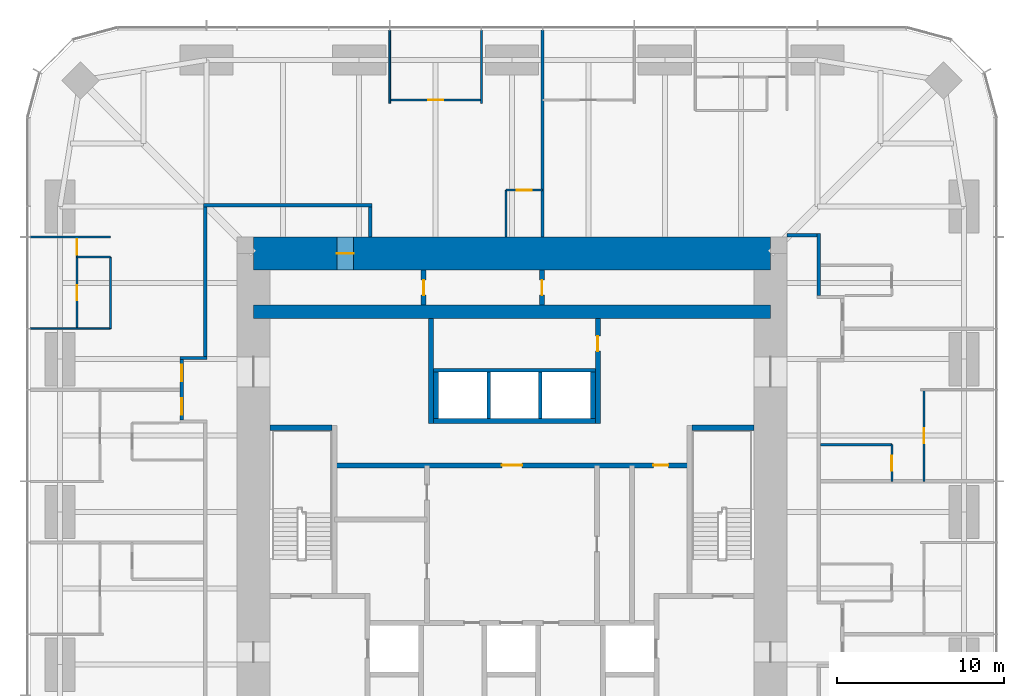
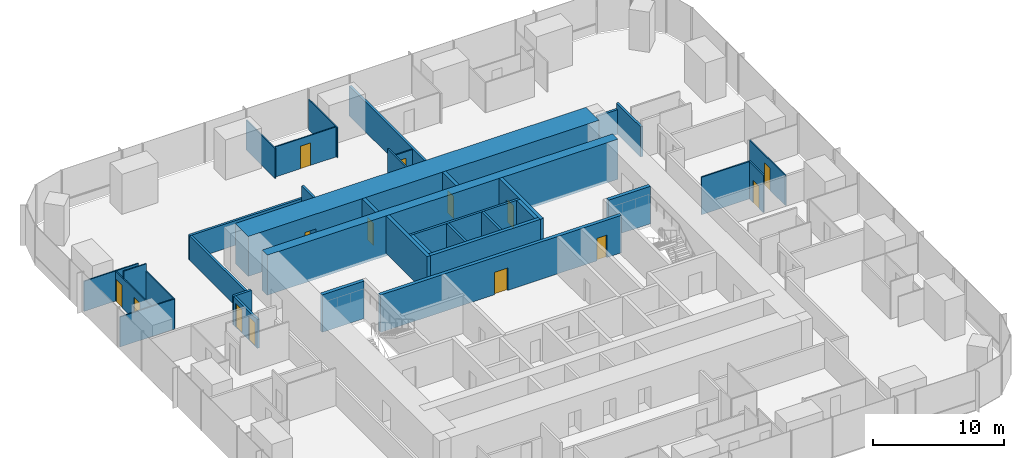
# One storey, part 11 of 13: 36 walls, 14 doors, 14 openings.
"""IFC4 building model written with IfcOpenShell, lengths in metres."""

from ifc_helpers import new_model, si_unit, direction, frame, frame_2d, origin, place, context, subcontext, project, spatial, rectangle, extrude, material, layer, layer_set, type_object, element, fill, save


model = new_model("IFC4")

# Units and contexts
model_context = context("Model", 3, precision=1e-05, world=origin(), true_north=direction((0.0, 1.0)))
body_context = subcontext(model_context, "Body", "Model", "MODEL_VIEW")
ifc_project = project(units=[si_unit("LENGTHUNIT", "METRE"), si_unit("AREAUNIT", "SQUARE_METRE"), si_unit("VOLUMEUNIT", "CUBIC_METRE"), si_unit("PLANEANGLEUNIT", "RADIAN"), si_unit("MASSUNIT", "GRAM", prefix="KILO")], contexts=[model_context])

# Site, building, storey
site_placement = place(None, origin())
site = spatial("IfcSite", under=ifc_project, at=site_placement, CompositionType="ELEMENT")
building_placement = place(site_placement, origin())
building = spatial("IfcBuilding", under=site, at=building_placement, Name="Khuree Lantern Residences", CompositionType="ELEMENT")
storey_placement = place(building_placement, frame((0.0, 0.0, 133.5)))
storey = spatial("IfcBuildingStorey", under=building, at=storey_placement, Name="L33", CompositionType="ELEMENT", Elevation=133.5)

# Wall, opening, door
ifc_material_1 = material(Name="Moisture-resistant gypsum board on steel studs", Category="steel")
ifc_layer_1 = layer(ifc_material_1, 0.125)
ifc_layer_set_1 = layer_set([ifc_layer_1], Name="BATHROOM WALL BTW125")
wall_type_1 = type_object("IfcWallType", Name="BATHROOM WALL BTW125", PredefinedType="PARTITIONING", material=ifc_layer_set_1)
wall_1_placement = place(storey_placement, frame((22.77978515625, 1.83203125, 0.0), z_axis=(0.0, 0.0, 1.0), x_axis=(0.0, 1.0, 0.0)))
wall_1 = element("IfcWall", 1, at=wall_1_placement, inside=storey, type_object=wall_type_1, Name="L33 BATHROOM WALL 02", PredefinedType="PARTITIONING", context=body_context, shape_type="SweptSolid", body=[
    extrude(rectangle(XDim=2.199951171875, YDim=0.125, at=frame_2d((1.10009765625, 0.0))), origin(), (0.0, 0.0, 1.0), 3.5),
])
opening_1_placement = place(wall_1_placement, frame((0.64990234375, 0.0, 0.0)))
opening_1 = element("IfcOpeningElement", 2, at=opening_1_placement, cuts=wall_1, Name="Opening 33-028", PredefinedType="OPENING", context=body_context, shape_type="SweptSolid", body=[
    extrude(rectangle(XDim=0.89990234375, YDim=2.10009765625, at=frame_2d((0.449951171875, 1.050048828125))), frame((0.0, 0.072509765625, 0.0), z_axis=(0.0, -1.0, 0.0), x_axis=(1.0, 0.0, 0.0)), (0.0, 0.0, 1.0), 0.14501953125),
])
ifc_material_2 = material(Name="Timber door leaf in hardwood frame", Category="wood")
door_type_1 = type_object("IfcDoorType", Name="BATHROOM DOOR 900X2100", OperationType="SINGLE_SWING_LEFT", PredefinedType="DOOR", material=ifc_material_2)
door_1_placement = place(opening_1_placement, origin())
door_1 = element("IfcDoor", 3, at=door_1_placement, inside=storey, type_object=door_type_1, Name="Bathroom door 33-028", OperationType="SINGLE_SWING_LEFT", OverallHeight=2.10009765625, OverallWidth=0.89990234375, PredefinedType="DOOR", context=body_context, shape_type="SweptSolid", body=[
    extrude(rectangle(XDim=0.89990234375, YDim=2.10009765625, at=frame_2d((0.449951171875, 1.050048828125))), frame((0.0, 0.02490234375, 0.0), z_axis=(0.0, -1.0, 0.0), x_axis=(1.0, 0.0, 0.0)), (0.0, 0.0, 1.0), 0.050048828125),
])
fill(opening_1, door_1)

# Wall
wall_2_placement = place(storey_placement, frame((18.5, 4.031982421875, 0.0), z_axis=(0.0, 0.0, 1.0), x_axis=(1.0, 0.0, 0.0)))
element("IfcWall", 4, at=wall_2_placement, inside=storey, type_object=wall_type_1, Name="L33 BATHROOM WALL 02", PredefinedType="PARTITIONING", context=body_context, shape_type="SweptSolid", body=[
    extrude(rectangle(XDim=4.27978515625, YDim=0.125, at=frame_2d((2.139892578125, 0.0))), origin(), (0.0, 0.0, 1.0), 3.5),
])

# Wall, opening, door
wall_3_placement = place(storey_placement, frame((1.83203125, 19.300048828125, 0.0), z_axis=(0.0, 0.0, 1.0), x_axis=(-1.0, 0.0, 0.0)))
wall_3 = element("IfcWall", 5, at=wall_3_placement, inside=storey, type_object=wall_type_1, Name="L33 BATHROOM WALL 04", PredefinedType="PARTITIONING", context=body_context, shape_type="SweptSolid", body=[
    extrude(rectangle(XDim=2.199951171875, YDim=0.125, at=frame_2d((1.10009765625, 0.0))), origin(), (0.0, 0.0, 1.0), 2.699951171875),
])
opening_2_placement = place(wall_3_placement, frame((0.64990234375, 0.0, 0.0)))
opening_2 = element("IfcOpeningElement", 6, at=opening_2_placement, cuts=wall_3, Name="Opening 33-038", PredefinedType="OPENING", context=body_context, shape_type="SweptSolid", body=[
    extrude(rectangle(XDim=0.89990234375, YDim=2.10009765625, at=frame_2d((0.449951171875, 1.050048828125))), frame((0.0, 0.072509765625, 0.0), z_axis=(0.0, -1.0, 0.0), x_axis=(1.0, 0.0, 0.0)), (0.0, 0.0, 1.0), 0.14501953125),
])
door_2_placement = place(opening_2_placement, origin())
door_2 = element("IfcDoor", 7, at=door_2_placement, inside=storey, type_object=door_type_1, Name="Bathroom door 33-038", OperationType="SINGLE_SWING_LEFT", OverallHeight=2.10009765625, OverallWidth=0.89990234375, PredefinedType="DOOR", context=body_context, shape_type="SweptSolid", body=[
    extrude(rectangle(XDim=0.89990234375, YDim=2.10009765625, at=frame_2d((0.449951171875, 1.050048828125))), frame((0.0, 0.02490234375, 0.0), z_axis=(0.0, -1.0, 0.0), x_axis=(1.0, 0.0, 0.0)), (0.0, 0.0, 1.0), 0.050048828125),
])
fill(opening_2, door_2)

# Walls
wall_4_placement = place(storey_placement, frame((-0.367919921875, 16.5, 0.0), z_axis=(0.0, 0.0, 1.0), x_axis=(0.0, 1.0, 0.0)))
element("IfcWall", 8, at=wall_4_placement, inside=storey, type_object=wall_type_1, Name="L33 BATHROOM WALL 04", PredefinedType="PARTITIONING", context=body_context, shape_type="SweptSolid", body=[
    extrude(rectangle(XDim=2.800048828125, YDim=0.125, at=frame_2d((1.39990234375, 0.0))), origin(), (0.0, 0.0, 1.0), 3.5),
])
ifc_material_3 = material(Name="Dense concrete blockwork", Category="masonry")
ifc_layer_2 = layer(ifc_material_3, 0.300048828125)
ifc_layer_set_2 = layer_set([ifc_layer_2], Name="CORE PARTITION WALL CPW300 EI 120")
wall_type_2 = type_object("IfcWallType", Name="CORE PARTITION WALL CPW300 EI 120", PredefinedType="PARTITIONING", material=ifc_layer_set_2)
wall_5_placement = place(storey_placement, frame((-4.699951171875, 5.449951171875, 0.0), z_axis=(0.0, 0.0, 1.0), x_axis=(1.0, 0.0, 0.0)))
element("IfcWall", 9, at=wall_5_placement, inside=storey, type_object=wall_type_2, Name="L33 CORE WALL PHS", PredefinedType="PARTITIONING", context=body_context, shape_type="SweptSolid", body=[
    extrude(rectangle(XDim=9.699951171875, YDim=0.300048828125, at=frame_2d((4.85009765625, 0.0))), origin(), (0.0, 0.0, 1.0), 3.5),
])
for number, where, z_axis, x_axis, name in (
    (10, (-4.550048828125, 5.60009765625, 0.0), (0.0, 0.0, 1.0), (0.0, 1.0, 0.0), "L33 CORE WALL PHW"),
    (11, (4.85009765625, 5.60009765625, 0.0), (0.0, 0.0, 1.0), (0.0, 1.0, 0.0), "L33 CORE WALL PHE"),
):
    element("IfcWall", number, at=place(storey_placement, frame(where, z_axis=z_axis, x_axis=x_axis)), inside=storey, type_object=wall_type_2, Name=name, PredefinedType="PARTITIONING", context=body_context, shape_type="SweptSolid", body=[
        extrude(rectangle(XDim=2.7998046875, YDim=0.300048828125, at=frame_2d((1.39990234375, 0.0))), origin(), (0.0, 0.0, 1.0), 3.5),
    ])

# Wall, openings, doors
wall_6_placement = place(storey_placement, frame((-10.64990234375, 2.800048828125, 0.0), z_axis=(0.0, 0.0, 1.0), x_axis=(1.0, 0.0, 0.0)))
wall_6 = element("IfcWall", 12, at=wall_6_placement, inside=storey, type_object=wall_type_2, Name="L33 CORE WALL LLS", PredefinedType="PARTITIONING", context=body_context, shape_type="SweptSolid", body=[
    extrude(rectangle(XDim=21.2998046875, YDim=0.300048828125, at=frame_2d((10.64990234375, 0.0))), origin(), (0.0, 0.0, 1.0), 3.5),
])
opening_3_placement = place(wall_6_placement, frame((10.050048828125, 0.0, 0.0)))
opening_3 = element("IfcOpeningElement", 13, at=opening_3_placement, cuts=wall_6, Name="Opening 33-013", PredefinedType="OPENING", context=body_context, shape_type="SweptSolid", body=[
    extrude(rectangle(XDim=1.199951171875, YDim=2.10009765625, at=frame_2d((0.60009765625, 1.050048828125))), frame((0.0, 0.16015625, 0.0), z_axis=(0.0, -1.0, 0.0), x_axis=(1.0, 0.0, 0.0)), (0.0, 0.0, 1.0), 0.320068359375),
])
opening_4_placement = place(wall_6_placement, frame((19.12109375, 0.0, 0.0)))
opening_4 = element("IfcOpeningElement", 14, at=opening_4_placement, cuts=wall_6, Name="Opening 33-019", PredefinedType="OPENING", context=body_context, shape_type="SweptSolid", body=[
    extrude(rectangle(XDim=0.89990234375, YDim=2.10009765625, at=frame_2d((0.449951171875, 1.050048828125))), frame((0.0, 0.16015625, 0.0), z_axis=(0.0, -1.0, 0.0), x_axis=(1.0, 0.0, 0.0)), (0.0, 0.0, 1.0), 0.320068359375),
])
ifc_material_4 = material(Name="Steel door leaf in steel frame", Category="steel")
door_type_2 = type_object("IfcDoorType", Name="DOOR 1200X2100 EI 60", OperationType="SINGLE_SWING_LEFT", PredefinedType="DOOR", material=ifc_material_4)
door_3_placement = place(opening_3_placement, origin())
door_3 = element("IfcDoor", 15, at=door_3_placement, inside=storey, type_object=door_type_2, Name="Service lift lobby door 33-013", OperationType="SINGLE_SWING_LEFT", OverallHeight=2.10009765625, OverallWidth=1.199951171875, PredefinedType="DOOR", context=body_context, shape_type="SweptSolid", body=[
    extrude(rectangle(XDim=1.199951171875, YDim=2.10009765625, at=frame_2d((0.60009765625, 1.050048828125))), frame((0.0, 0.02490234375, 0.0), z_axis=(0.0, -1.0, 0.0), x_axis=(1.0, 0.0, 0.0)), (0.0, 0.0, 1.0), 0.050048828125),
])
fill(opening_3, door_3)
door_type_3 = type_object("IfcDoorType", Name="DOOR 900X2100 RIGHT HAND", OperationType="SINGLE_SWING_RIGHT", PredefinedType="DOOR", material=ifc_material_2)
door_4_placement = place(opening_4_placement, origin())
door_4 = element("IfcDoor", 16, at=door_4_placement, inside=storey, type_object=door_type_3, Name="Residents' store door 33-019", OperationType="SINGLE_SWING_RIGHT", OverallHeight=2.10009765625, OverallWidth=0.89990234375, PredefinedType="DOOR", context=body_context, shape_type="SweptSolid", body=[
    extrude(rectangle(XDim=0.89990234375, YDim=2.10009765625, at=frame_2d((0.449951171875, 1.050048828125))), frame((0.0, 0.02490234375, 0.0), z_axis=(0.0, -1.0, 0.0), x_axis=(1.0, 0.0, 0.0)), (0.0, 0.0, 1.0), 0.050048828125),
])
fill(opening_4, door_4)

# Wall
wall_7_placement = place(storey_placement, frame((-4.85009765625, 5.300048828125, 0.0), z_axis=(0.0, 0.0, 1.0), x_axis=(0.0, 1.0, 0.0)))
element("IfcWall", 17, at=wall_7_placement, inside=storey, type_object=wall_type_2, Name="L33 CORE WALL NW", PredefinedType="PARTITIONING", context=body_context, shape_type="SweptSolid", body=[
    extrude(rectangle(XDim=6.300048828125, YDim=0.300048828125, at=frame_2d((3.14990234375, 0.0))), origin(), (0.0, 0.0, 1.0), 3.5),
])

# Wall, opening, door
wall_8_placement = place(storey_placement, frame((5.14990234375, 5.300048828125, 0.0), z_axis=(0.0, 0.0, 1.0), x_axis=(0.0, 1.0, 0.0)))
wall_8 = element("IfcWall", 18, at=wall_8_placement, inside=storey, type_object=wall_type_2, Name="L33 CORE WALL NE", PredefinedType="PARTITIONING", context=body_context, shape_type="SweptSolid", body=[
    extrude(rectangle(XDim=6.300048828125, YDim=0.300048828125, at=frame_2d((3.14990234375, 0.0))), origin(), (0.0, 0.0, 1.0), 3.5),
])
opening_5_placement = place(wall_8_placement, frame((4.35009765625, 0.0, 0.0)))
opening_5 = element("IfcOpeningElement", 19, at=opening_5_placement, cuts=wall_8, Name="Opening 33-020", PredefinedType="OPENING", context=body_context, shape_type="SweptSolid", body=[
    extrude(rectangle(XDim=0.89990234375, YDim=2.10009765625, at=frame_2d((0.449951171875, 1.050048828125))), frame((0.0, 0.16015625, 0.0), z_axis=(0.0, -1.0, 0.0), x_axis=(1.0, 0.0, 0.0)), (0.0, 0.0, 1.0), 0.320068359375),
])
door_type_4 = type_object("IfcDoorType", Name="DOOR 900X2100", OperationType="SINGLE_SWING_LEFT", PredefinedType="DOOR", material=ifc_material_2)
door_5_placement = place(opening_5_placement, origin())
door_5 = element("IfcDoor", 20, at=door_5_placement, inside=storey, type_object=door_type_4, Name="Residents' store door 33-020", OperationType="SINGLE_SWING_LEFT", OverallHeight=2.10009765625, OverallWidth=0.89990234375, PredefinedType="DOOR", context=body_context, shape_type="SweptSolid", body=[
    extrude(rectangle(XDim=0.89990234375, YDim=2.10009765625, at=frame_2d((0.449951171875, 1.050048828125))), frame((0.0, 0.02490234375, 0.0), z_axis=(0.0, -1.0, 0.0), x_axis=(1.0, 0.0, 0.0)), (0.0, 0.0, 1.0), 0.050048828125),
])
fill(opening_5, door_5)

wall_9_placement = place(storey_placement, frame((-5.300048828125, 12.39990234375, 0.0), z_axis=(0.0, 0.0, 1.0), x_axis=(0.0, 1.0, 0.0)))
wall_9 = element("IfcWall", 21, at=wall_9_placement, inside=storey, type_object=wall_type_2, Name="L33 CORE WALL PLX", PredefinedType="PARTITIONING", context=body_context, shape_type="SweptSolid", body=[
    extrude(rectangle(XDim=2.10009765625, YDim=0.300048828125, at=frame_2d((1.050048828125, 0.0))), origin(), (0.0, 0.0, 1.0), 3.5),
])
opening_6_placement = place(wall_9_placement, frame((0.60009765625, 0.0, 0.0)))
opening_6 = element("IfcOpeningElement", 22, at=opening_6_placement, cuts=wall_9, Name="Opening 33-021", PredefinedType="OPENING", context=body_context, shape_type="SweptSolid", body=[
    extrude(rectangle(XDim=0.89990234375, YDim=2.10009765625, at=frame_2d((0.449951171875, 1.050048828125))), frame((0.0, 0.16015625, 0.0), z_axis=(0.0, -1.0, 0.0), x_axis=(1.0, 0.0, 0.0)), (0.0, 0.0, 1.0), 0.320068359375),
])
door_6_placement = place(opening_6_placement, origin())
door_6 = element("IfcDoor", 23, at=door_6_placement, inside=storey, type_object=door_type_4, Name="Spares store door 33-021", OperationType="SINGLE_SWING_LEFT", OverallHeight=2.10009765625, OverallWidth=0.89990234375, PredefinedType="DOOR", context=body_context, shape_type="SweptSolid", body=[
    extrude(rectangle(XDim=0.89990234375, YDim=2.10009765625, at=frame_2d((0.449951171875, 1.050048828125))), frame((0.0, 0.02490234375, 0.0), z_axis=(0.0, -1.0, 0.0), x_axis=(1.0, 0.0, 0.0)), (0.0, 0.0, 1.0), 0.050048828125),
])
fill(opening_6, door_6)

wall_10_placement = place(storey_placement, frame((1.800048828125, 12.39990234375, 0.0), z_axis=(0.0, 0.0, 1.0), x_axis=(0.0, 1.0, 0.0)))
wall_10 = element("IfcWall", 24, at=wall_10_placement, inside=storey, type_object=wall_type_2, Name="L33 CORE WALL PLY", PredefinedType="PARTITIONING", context=body_context, shape_type="SweptSolid", body=[
    extrude(rectangle(XDim=2.10009765625, YDim=0.300048828125, at=frame_2d((1.050048828125, 0.0))), origin(), (0.0, 0.0, 1.0), 3.5),
])
opening_7_placement = place(wall_10_placement, frame((0.60009765625, 0.0, 0.0)))
opening_7 = element("IfcOpeningElement", 25, at=opening_7_placement, cuts=wall_10, Name="Opening 33-022", PredefinedType="OPENING", context=body_context, shape_type="SweptSolid", body=[
    extrude(rectangle(XDim=0.89990234375, YDim=2.10009765625, at=frame_2d((0.449951171875, 1.050048828125))), frame((0.0, 0.16015625, 0.0), z_axis=(0.0, -1.0, 0.0), x_axis=(1.0, 0.0, 0.0)), (0.0, 0.0, 1.0), 0.320068359375),
])
door_7_placement = place(opening_7_placement, origin())
door_7 = element("IfcDoor", 26, at=door_7_placement, inside=storey, type_object=door_type_4, Name="Housekeeping store door 33-022", OperationType="SINGLE_SWING_LEFT", OverallHeight=2.10009765625, OverallWidth=0.89990234375, PredefinedType="DOOR", context=body_context, shape_type="SweptSolid", body=[
    extrude(rectangle(XDim=0.89990234375, YDim=2.10009765625, at=frame_2d((0.449951171875, 1.050048828125))), frame((0.0, 0.02490234375, 0.0), z_axis=(0.0, -1.0, 0.0), x_axis=(1.0, 0.0, 0.0)), (0.0, 0.0, 1.0), 0.050048828125),
])
fill(opening_7, door_7)

# Walls
ifc_material_5 = material(Name="Gypsum board on steel studs", Category="steel")
ifc_layer_3 = layer(ifc_material_5, 0.199951171875)
ifc_layer_set_3 = layer_set([ifc_layer_3], Name="CORRIDOR WALL CRW200 EI 60")
wall_type_3 = type_object("IfcWallType", Name="CORRIDOR WALL CRW200 EI 60", PredefinedType="PARTITIONING", material=ifc_layer_set_3)
wall_11_placement = place(storey_placement, frame((16.5, 16.60009765625, 0.0), z_axis=(0.0, 0.0, 1.0), x_axis=(1.0, 0.0, 0.0)))
element("IfcWall", 27, at=wall_11_placement, inside=storey, type_object=wall_type_3, Name="L33 EAST CORRIDOR NORTH END WALL", PredefinedType="PARTITIONING", context=body_context, shape_type="SweptSolid", body=[
    extrude(rectangle(XDim=1.800048828125, YDim=0.199951171875, at=frame_2d((0.89990234375, 0.0))), origin(), (0.0, 0.0, 1.0), 2.300048828125),
])
wall_12_placement = place(storey_placement, frame((-18.5, 18.39990234375, 0.0), z_axis=(0.0, 0.0, 1.0), x_axis=(1.0, 0.0, 0.0)))
element("IfcWall", 28, at=wall_12_placement, inside=storey, type_object=wall_type_3, Name="L33 CORRIDOR WALL NORTH", PredefinedType="PARTITIONING", context=body_context, shape_type="SweptSolid", body=[
    extrude(rectangle(XDim=10.10009765625, YDim=0.199951171875, at=frame_2d((5.050048828125, 0.0))), origin(), (0.0, 0.0, 1.0), 2.300048828125),
])
wall_13_placement = place(storey_placement, frame((-8.5, 18.300048828125, 0.0), z_axis=(0.0, 0.0, 1.0), x_axis=(0.0, -1.0, 0.0)))
element("IfcWall", 29, at=wall_13_placement, inside=storey, type_object=wall_type_3, Name="L33 NORTH CORRIDOR END WALL", PredefinedType="PARTITIONING", context=body_context, shape_type="SweptSolid", body=[
    extrude(rectangle(XDim=1.800048828125, YDim=0.199951171875, at=frame_2d((0.89990234375, 0.0))), origin(), (0.0, 0.0, 1.0), 3.5),
])
wall_14_placement = place(storey_placement, frame((18.39990234375, 12.991943359375, 0.0), z_axis=(0.0, 0.0, 1.0), x_axis=(0.0, 1.0, 0.0)))
element("IfcWall", 30, at=wall_14_placement, inside=storey, type_object=wall_type_3, Name="L33 CORRIDOR WALL EAST 3", PredefinedType="PARTITIONING", context=body_context, shape_type="SweptSolid", body=[
    extrude(rectangle(XDim=3.7080078125, YDim=0.199951171875, at=frame_2d((1.85400390625, 0.0))), origin(), (0.0, 0.0, 1.0), 2.81005859375),
])
wall_15_placement = place(storey_placement, frame((-18.39990234375, 18.300048828125, 0.0), z_axis=(0.0, 0.0, 1.0), x_axis=(0.0, -1.0, 0.0)))
element("IfcWall", 31, at=wall_15_placement, inside=storey, type_object=wall_type_3, Name="L33 CORRIDOR WALL WEST 1", PredefinedType="PARTITIONING", context=body_context, shape_type="SweptSolid", body=[
    extrude(rectangle(XDim=8.97216796875, YDim=0.199951171875, at=frame_2d((4.486083984375, 0.0))), origin(), (0.0, 0.0, 1.0), 2.300048828125),
])
wall_16_placement = place(storey_placement, frame((-18.300048828125, 9.22802734375, 0.0), z_axis=(0.0, 0.0, 1.0), x_axis=(-1.0, 0.0, 0.0)))
element("IfcWall", 32, at=wall_16_placement, inside=storey, type_object=wall_type_3, Name="L33 CORRIDOR ALCOVE WALL WEST", PredefinedType="PARTITIONING", context=body_context, shape_type="SweptSolid", body=[
    extrude(rectangle(XDim=1.599853515625, YDim=0.199951171875, at=frame_2d((0.7998046875, 0.0))), origin(), (0.0, 0.0, 1.0), 2.699951171875),
])

# Wall, openings, doors
wall_17_placement = place(storey_placement, frame((-19.800048828125, 9.1279296875, 0.0), z_axis=(0.0, 0.0, 1.0), x_axis=(0.0, -1.0, 0.0)))
wall_17 = element("IfcWall", 33, at=wall_17_placement, inside=storey, type_object=wall_type_3, Name="L33 CORRIDOR ALCOVE WALL WEST", PredefinedType="PARTITIONING", context=body_context, shape_type="SweptSolid", body=[
    extrude(rectangle(XDim=3.599853515625, YDim=0.199951171875, at=frame_2d((1.7998046875, 0.0))), origin(), (0.0, 0.0, 1.0), 2.699951171875),
])
opening_8_placement = place(wall_17_placement, frame((0.300048828125, 0.0, 0.0)))
opening_8 = element("IfcOpeningElement", 34, at=opening_8_placement, cuts=wall_17, Name="Opening 33-039", PredefinedType="OPENING", context=body_context, shape_type="SweptSolid", body=[
    extrude(rectangle(XDim=1.0, YDim=2.199951171875, at=frame_2d((0.5, 1.10009765625))), frame((0.0, 0.10986328125, 0.0), z_axis=(0.0, -1.0, 0.0), x_axis=(1.0, 0.0, 0.0)), (0.0, 0.0, 1.0), 0.219970703125),
])
opening_9_placement = place(wall_17_placement, frame((2.300048828125, 0.0, 0.0)))
opening_9 = element("IfcOpeningElement", 35, at=opening_9_placement, cuts=wall_17, Name="Opening 33-042", PredefinedType="OPENING", context=body_context, shape_type="SweptSolid", body=[
    extrude(rectangle(XDim=1.0, YDim=2.199951171875, at=frame_2d((0.5, 1.10009765625))), frame((0.0, 0.10986328125, 0.0), z_axis=(0.0, -1.0, 0.0), x_axis=(1.0, 0.0, 0.0)), (0.0, 0.0, 1.0), 0.219970703125),
])
door_type_5 = type_object("IfcDoorType", Name="APARTMENT ENTRANCE DOOR 1000X2200 EI 30S", OperationType="SINGLE_SWING_LEFT", PredefinedType="DOOR", material=ifc_material_2)
door_8_placement = place(opening_8_placement, origin())
door_8 = element("IfcDoor", 36, at=door_8_placement, inside=storey, type_object=door_type_5, Name="Apartment 04 entrance door 33-039", OperationType="SINGLE_SWING_LEFT", OverallHeight=2.199951171875, OverallWidth=1.0, PredefinedType="DOOR", context=body_context, shape_type="SweptSolid", body=[
    extrude(rectangle(XDim=1.0, YDim=2.199951171875, at=frame_2d((0.5, 1.10009765625))), frame((0.0, 0.02490234375, 0.0), z_axis=(0.0, -1.0, 0.0), x_axis=(1.0, 0.0, 0.0)), (0.0, 0.0, 1.0), 0.050048828125),
])
fill(opening_8, door_8)
door_type_6 = type_object("IfcDoorType", Name="APARTMENT ENTRANCE DOOR 1000X2200 EI 30S RIGHT HAND", OperationType="SINGLE_SWING_RIGHT", PredefinedType="DOOR", material=ifc_material_2)
door_9_placement = place(opening_9_placement, origin())
door_9 = element("IfcDoor", 37, at=door_9_placement, inside=storey, type_object=door_type_6, Name="Apartment 05 entrance door 33-042", OperationType="SINGLE_SWING_RIGHT", OverallHeight=2.199951171875, OverallWidth=1.0, PredefinedType="DOOR", context=body_context, shape_type="SweptSolid", body=[
    extrude(rectangle(XDim=1.0, YDim=2.199951171875, at=frame_2d((0.5, 1.10009765625))), frame((0.0, 0.02490234375, 0.0), z_axis=(0.0, -1.0, 0.0), x_axis=(1.0, 0.0, 0.0)), (0.0, 0.0, 1.0), 0.050048828125),
])
fill(opening_9, door_9)

# Wall, opening, door
ifc_material_6 = material(Name="Concrete C70/85", Category="concrete")
ifc_layer_4 = layer(ifc_material_6, 2.0)
ifc_layer_set_4 = layer_set([ifc_layer_4], Name="CW2000-C70 CORE WALL C70 2000")
wall_type_4 = type_object("IfcWallType", Name="CW2000-C70 CORE WALL C70 2000", PredefinedType="SHEAR", material=ifc_layer_set_4)
wall_18_placement = place(storey_placement, frame((-15.5, 15.5, -0.25), z_axis=(0.0, 0.0, 1.0), x_axis=(1.0, 0.0, 0.0)))
wall_18 = element("IfcWall", 38, at=wall_18_placement, inside=storey, type_object=wall_type_4, Name="Core wall N", PredefinedType="SHEAR", context=body_context, shape_type="SweptSolid", body=[
    extrude(rectangle(XDim=31.0, YDim=2.0, at=frame_2d((15.5, 0.0))), origin(), (0.0, 0.0, 1.0), 3.75),
])
opening_10_placement = place(wall_18_placement, frame((5.0, 0.0, 0.25)))
opening_10 = element("IfcOpeningElement", 39, at=opening_10_placement, cuts=wall_18, Name="Opening 33-023", PredefinedType="OPENING", context=body_context, shape_type="SweptSolid", body=[
    extrude(rectangle(XDim=1.0, YDim=2.10009765625, at=frame_2d((0.5, 1.050048828125))), frame((0.0, 1.010009765625, 0.0), z_axis=(0.0, -1.0, 0.0), x_axis=(1.0, 0.0, 0.0)), (0.0, 0.0, 1.0), 2.02001953125),
])
door_type_7 = type_object("IfcDoorType", Name="DOOR 1000X2100 EI 60 RIGHT HAND", OperationType="SINGLE_SWING_RIGHT", PredefinedType="DOOR", material=ifc_material_4)
door_10_placement = place(opening_10_placement, origin())
door_10 = element("IfcDoor", 40, at=door_10_placement, inside=storey, type_object=door_type_7, Name="Residents' store door 33-023", OperationType="SINGLE_SWING_RIGHT", OverallHeight=2.10009765625, OverallWidth=1.0, PredefinedType="DOOR", context=body_context, shape_type="SweptSolid", body=[
    extrude(rectangle(XDim=1.0, YDim=2.10009765625, at=frame_2d((0.5, 1.050048828125))), frame((0.0, 0.02490234375, 0.0), z_axis=(0.0, -1.0, 0.0), x_axis=(1.0, 0.0, 0.0)), (0.0, 0.0, 1.0), 0.050048828125),
])
fill(opening_10, door_10)

# Walls
ifc_layer_5 = layer(ifc_material_5, 0.199951171875)
ifc_layer_set_5 = layer_set([ifc_layer_5], Name="DEMISING WALL DMW200 EI 90")
wall_type_5 = type_object("IfcWallType", Name="DEMISING WALL DMW200 EI 90", PredefinedType="PARTITIONING", material=ifc_layer_set_5)
wall_19_placement = place(storey_placement, frame((1.83203125, 16.5, 0.0), z_axis=(0.0, 0.0, 1.0), x_axis=(0.0, 1.0, 0.0)))
element("IfcWall", 41, at=wall_19_placement, inside=storey, type_object=wall_type_5, Name="L33 DEMISING WALL 04", PredefinedType="PARTITIONING", context=body_context, shape_type="SweptSolid", body=[
    extrude(rectangle(XDim=12.39990234375, YDim=0.199951171875, at=frame_2d((6.199951171875, 0.0))), origin(), (0.0, 0.0, 1.0), 2.81005859375),
])
ifc_layer_6 = layer(ifc_material_5, 0.10009765625)
ifc_layer_set_6 = layer_set([ifc_layer_6], Name="PARTITION PT100")
wall_type_6 = type_object("IfcWallType", Name="PARTITION PT100", PredefinedType="PARTITIONING", material=ifc_layer_set_6)
for number, where, z_axis, x_axis, name in (
    (42, (-1.83203125, 24.5, 0.0), (0.0, 0.0, 1.0), (0.0, 1.0, 0.0), "L33 PARTITION 04"),
    (43, (-7.327880859375, 24.5, 0.0), (0.0, 0.0, 1.0), (0.0, 1.0, 0.0), "L33 PARTITION 04"),
):
    element("IfcWall", number, at=place(storey_placement, frame(where, z_axis=z_axis, x_axis=x_axis)), inside=storey, type_object=wall_type_6, Name=name, PredefinedType="PARTITIONING", context=body_context, shape_type="SweptSolid", body=[
        extrude(rectangle(XDim=4.39990234375, YDim=0.10009765625, at=frame_2d((2.199951171875, 0.0))), origin(), (0.0, 0.0, 1.0), 2.81005859375),
    ])
for number, where, z_axis, x_axis, name in (
    (44, (-24.079833984375, 16.488037109375, 0.0), (0.0, 0.0, 1.0), (-1.0, 0.0, 0.0), "L33 PARTITION 04"),
    (45, (-24.079833984375, 10.991943359375, 0.0), (0.0, 0.0, 1.0), (-1.0, 0.0, 0.0), "L33 PARTITION 04"),
):
    element("IfcWall", number, at=place(storey_placement, frame(where, z_axis=z_axis, x_axis=x_axis)), inside=storey, type_object=wall_type_6, Name=name, PredefinedType="PARTITIONING", context=body_context, shape_type="SweptSolid", body=[
        extrude(rectangle(XDim=4.820068359375, YDim=0.10009765625, at=frame_2d((2.41015625, 0.0))), origin(), (0.0, 0.0, 1.0), 2.81005859375),
    ])

# Wall, opening, door
wall_20_placement = place(storey_placement, frame((24.699951171875, 1.83203125, 0.0), z_axis=(0.0, 0.0, 1.0), x_axis=(0.0, 1.0, 0.0)))
wall_20 = element("IfcWall", 46, at=wall_20_placement, inside=storey, type_object=wall_type_6, Name="L33 PARTITION 02", PredefinedType="PARTITIONING", context=body_context, shape_type="SweptSolid", body=[
    extrude(rectangle(XDim=5.495849609375, YDim=0.10009765625, at=frame_2d((2.748046875, 0.0))), origin(), (0.0, 0.0, 1.0), 2.81005859375),
])
opening_11_placement = place(wall_20_placement, frame((2.298095703125, 0.0, 0.0)))
opening_11 = element("IfcOpeningElement", 47, at=opening_11_placement, cuts=wall_20, Name="Opening 33-027", PredefinedType="OPENING", context=body_context, shape_type="SweptSolid", body=[
    extrude(rectangle(XDim=0.89990234375, YDim=2.10009765625, at=frame_2d((0.449951171875, 1.050048828125))), frame((0.0, 0.06005859375, 0.0), z_axis=(0.0, -1.0, 0.0), x_axis=(1.0, 0.0, 0.0)), (0.0, 0.0, 1.0), 0.1201171875),
])
door_type_8 = type_object("IfcDoorType", Name="BEDROOM DOOR 900X2100", OperationType="SINGLE_SWING_LEFT", PredefinedType="DOOR", material=ifc_material_2)
door_11_placement = place(opening_11_placement, origin())
door_11 = element("IfcDoor", 48, at=door_11_placement, inside=storey, type_object=door_type_8, Name="Bedroom door 33-027", OperationType="SINGLE_SWING_LEFT", OverallHeight=2.10009765625, OverallWidth=0.89990234375, PredefinedType="DOOR", context=body_context, shape_type="SweptSolid", body=[
    extrude(rectangle(XDim=0.89990234375, YDim=2.10009765625, at=frame_2d((0.449951171875, 1.050048828125))), frame((0.0, 0.02490234375, 0.0), z_axis=(0.0, -1.0, 0.0), x_axis=(1.0, 0.0, 0.0)), (0.0, 0.0, 1.0), 0.050048828125),
])
fill(opening_11, door_11)

wall_21_placement = place(storey_placement, frame((-1.83203125, 24.699951171875, 0.0), z_axis=(0.0, 0.0, 1.0), x_axis=(-1.0, 0.0, 0.0)))
wall_21 = element("IfcWall", 49, at=wall_21_placement, inside=storey, type_object=wall_type_6, Name="L33 PARTITION 04", PredefinedType="PARTITIONING", context=body_context, shape_type="SweptSolid", body=[
    extrude(rectangle(XDim=5.495849609375, YDim=0.10009765625, at=frame_2d((2.748046875, 0.0))), origin(), (0.0, 0.0, 1.0), 2.81005859375),
])
opening_12_placement = place(wall_21_placement, frame((2.298095703125, 0.0, 0.0)))
opening_12 = element("IfcOpeningElement", 50, at=opening_12_placement, cuts=wall_21, Name="Opening 33-035", PredefinedType="OPENING", context=body_context, shape_type="SweptSolid", body=[
    extrude(rectangle(XDim=0.89990234375, YDim=2.10009765625, at=frame_2d((0.449951171875, 1.050048828125))), frame((0.0, 0.06005859375, 0.0), z_axis=(0.0, -1.0, 0.0), x_axis=(1.0, 0.0, 0.0)), (0.0, 0.0, 1.0), 0.1201171875),
])
door_12_placement = place(opening_12_placement, origin())
door_12 = element("IfcDoor", 51, at=door_12_placement, inside=storey, type_object=door_type_8, Name="Bedroom door 33-035", OperationType="SINGLE_SWING_LEFT", OverallHeight=2.10009765625, OverallWidth=0.89990234375, PredefinedType="DOOR", context=body_context, shape_type="SweptSolid", body=[
    extrude(rectangle(XDim=0.89990234375, YDim=2.10009765625, at=frame_2d((0.449951171875, 1.050048828125))), frame((0.0, 0.02490234375, 0.0), z_axis=(0.0, -1.0, 0.0), x_axis=(1.0, 0.0, 0.0)), (0.0, 0.0, 1.0), 0.050048828125),
])
fill(opening_12, door_12)

# Wall, openings, doors
wall_22_placement = place(storey_placement, frame((-26.079833984375, 16.488037109375, 0.0), z_axis=(0.0, 0.0, 1.0), x_axis=(0.0, -1.0, 0.0)))
wall_22 = element("IfcWall", 52, at=wall_22_placement, inside=storey, type_object=wall_type_6, Name="L33 PARTITION 04", PredefinedType="PARTITIONING", context=body_context, shape_type="SweptSolid", body=[
    extrude(rectangle(XDim=5.49609375, YDim=0.10009765625, at=frame_2d((2.748046875, 0.0))), origin(), (0.0, 0.0, 1.0), 2.81005859375),
])
opening_13_placement = place(wall_22_placement, frame((0.14990234375, 0.0, 0.0)))
opening_13 = element("IfcOpeningElement", 53, at=opening_13_placement, cuts=wall_22, Name="Opening 33-036", PredefinedType="OPENING", context=body_context, shape_type="SweptSolid", body=[
    extrude(rectangle(XDim=0.89990234375, YDim=2.10009765625, at=frame_2d((0.449951171875, 1.050048828125))), frame((0.0, 0.06005859375, 0.0), z_axis=(0.0, -1.0, 0.0), x_axis=(1.0, 0.0, 0.0)), (0.0, 0.0, 1.0), 0.1201171875),
])
opening_14_placement = place(wall_22_placement, frame((2.89794921875, 0.0, 0.0)))
opening_14 = element("IfcOpeningElement", 54, at=opening_14_placement, cuts=wall_22, Name="Opening 33-037", PredefinedType="OPENING", context=body_context, shape_type="SweptSolid", body=[
    extrude(rectangle(XDim=0.89990234375, YDim=2.10009765625, at=frame_2d((0.449951171875, 1.050048828125))), frame((0.0, 0.06005859375, 0.0), z_axis=(0.0, -1.0, 0.0), x_axis=(1.0, 0.0, 0.0)), (0.0, 0.0, 1.0), 0.1201171875),
])
door_13_placement = place(opening_13_placement, origin())
door_13 = element("IfcDoor", 55, at=door_13_placement, inside=storey, type_object=door_type_8, Name="Bedroom door 33-036", OperationType="SINGLE_SWING_LEFT", OverallHeight=2.10009765625, OverallWidth=0.89990234375, PredefinedType="DOOR", context=body_context, shape_type="SweptSolid", body=[
    extrude(rectangle(XDim=0.89990234375, YDim=2.10009765625, at=frame_2d((0.449951171875, 1.050048828125))), frame((0.0, 0.02490234375, 0.0), z_axis=(0.0, -1.0, 0.0), x_axis=(1.0, 0.0, 0.0)), (0.0, 0.0, 1.0), 0.050048828125),
])
fill(opening_13, door_13)
door_14_placement = place(opening_14_placement, origin())
door_14 = element("IfcDoor", 56, at=door_14_placement, inside=storey, type_object=door_type_4, Name="Wardrobe door 33-037", OperationType="SINGLE_SWING_LEFT", OverallHeight=2.10009765625, OverallWidth=0.89990234375, PredefinedType="DOOR", context=body_context, shape_type="SweptSolid", body=[
    extrude(rectangle(XDim=0.89990234375, YDim=2.10009765625, at=frame_2d((0.449951171875, 1.050048828125))), frame((0.0, 0.02490234375, 0.0), z_axis=(0.0, -1.0, 0.0), x_axis=(1.0, 0.0, 0.0)), (0.0, 0.0, 1.0), 0.050048828125),
])
fill(opening_14, door_14)

# Walls
wall_23_placement = place(storey_placement, frame((-24.079833984375, 15.2880859375, 0.0), z_axis=(0.0, 0.0, 1.0), x_axis=(-1.0, 0.0, 0.0)))
element("IfcWall", 57, at=wall_23_placement, inside=storey, type_object=wall_type_6, Name="L33 PARTITION 04", PredefinedType="PARTITIONING", context=body_context, shape_type="SweptSolid", body=[
    extrude(rectangle(XDim=2.0, YDim=0.10009765625, at=frame_2d((1.0, 0.0))), origin(), (0.0, 0.0, 1.0), 3.5),
])
wall_24_placement = place(storey_placement, frame((-24.079833984375, 15.2880859375, 0.0), z_axis=(0.0, 0.0, 1.0), x_axis=(0.0, -1.0, 0.0)))
element("IfcWall", 58, at=wall_24_placement, inside=storey, type_object=wall_type_6, Name="L33 PARTITION 04", PredefinedType="PARTITIONING", context=body_context, shape_type="SweptSolid", body=[
    extrude(rectangle(XDim=4.296142578125, YDim=0.10009765625, at=frame_2d((2.14794921875, 0.0))), origin(), (0.0, 0.0, 1.0), 2.81005859375),
])
ifc_layer_7 = layer(ifc_material_3, 0.199951171875)
ifc_layer_set_7 = layer_set([ifc_layer_7], Name="SHAFT WALL SHW200 EI 120")
wall_type_7 = type_object("IfcWallType", Name="SHAFT WALL SHW200 EI 120", PredefinedType="PARTITIONING", material=ifc_layer_set_7)
wall_25_placement = place(storey_placement, frame((-4.699951171875, 8.5, 0.0), z_axis=(0.0, 0.0, 1.0), x_axis=(1.0, 0.0, 0.0)))
element("IfcWall", 59, at=wall_25_placement, inside=storey, type_object=wall_type_7, Name="L33 CORE WALL PHN", PredefinedType="PARTITIONING", context=body_context, shape_type="SweptSolid", body=[
    extrude(rectangle(XDim=9.699951171875, YDim=0.199951171875, at=frame_2d((4.85009765625, 0.0))), origin(), (0.0, 0.0, 1.0), 3.5),
])
for number, where, z_axis, x_axis, name in (
    (60, (-1.39990234375, 5.60009765625, 0.0), (0.0, 0.0, 1.0), (0.0, 1.0, 0.0), "L33 CORE WALL PHD1"),
    (61, (1.699951171875, 5.60009765625, 0.0), (0.0, 0.0, 1.0), (0.0, 1.0, 0.0), "L33 CORE WALL PHD2"),
):
    element("IfcWall", number, at=place(storey_placement, frame(where, z_axis=z_axis, x_axis=x_axis)), inside=storey, type_object=wall_type_7, Name=name, PredefinedType="PARTITIONING", context=body_context, shape_type="SweptSolid", body=[
        extrude(rectangle(XDim=2.7998046875, YDim=0.199951171875, at=frame_2d((1.39990234375, 0.0))), origin(), (0.0, 0.0, 1.0), 3.5),
    ])
ifc_layer_8 = layer(ifc_material_6, 0.800048828125)
ifc_layer_set_8 = layer_set([ifc_layer_8], Name="SP800-C70 CORE SPINE WALL C70 800")
wall_type_8 = type_object("IfcWallType", Name="SP800-C70 CORE SPINE WALL C70 800", PredefinedType="SHEAR", material=ifc_layer_set_8)
wall_26_placement = place(storey_placement, frame((-15.5, 12.0, -0.25), z_axis=(0.0, 0.0, 1.0), x_axis=(1.0, 0.0, 0.0)))
element("IfcWall", 62, at=wall_26_placement, inside=storey, type_object=wall_type_8, Name="Core wall SPN", PredefinedType="SHEAR", context=body_context, shape_type="SweptSolid", body=[
    extrude(rectangle(XDim=31.0, YDim=0.800048828125, at=frame_2d((15.5, 0.0))), origin(), (0.0, 0.0, 1.0), 3.75),
])
ifc_material_7 = material(Name="Concrete C50/60", Category="concrete")
ifc_layer_9 = layer(ifc_material_7, 0.300048828125)
ifc_layer_set_9 = layer_set([ifc_layer_9], Name="STAIR WALL SRW300 C50/60 REI 240")
wall_type_9 = type_object("IfcWallType", Name="STAIR WALL SRW300 C50/60 REI 240", PredefinedType="SOLIDWALL", material=ifc_layer_set_9)
for number, where, z_axis, x_axis, name in (
    (63, (-14.5, 5.050048828125, 0.0), (0.0, 0.0, 1.0), (1.0, 0.0, 0.0), "L33 STAIR WALL ST1N"),
    (64, (14.5, 5.050048828125, 0.0), (0.0, 0.0, 1.0), (-1.0, 0.0, 0.0), "L33 STAIR WALL ST2N"),
):
    element("IfcWall", number, at=place(storey_placement, frame(where, z_axis=z_axis, x_axis=x_axis)), inside=storey, type_object=wall_type_9, Name=name, PredefinedType="SOLIDWALL", context=body_context, shape_type="SweptSolid", body=[
        extrude(rectangle(XDim=3.699951171875, YDim=0.300048828125, at=frame_2d((1.85009765625, 0.0))), origin(), (0.0, 0.0, 1.0), 3.5),
    ])

save(model, "model.ifc")
